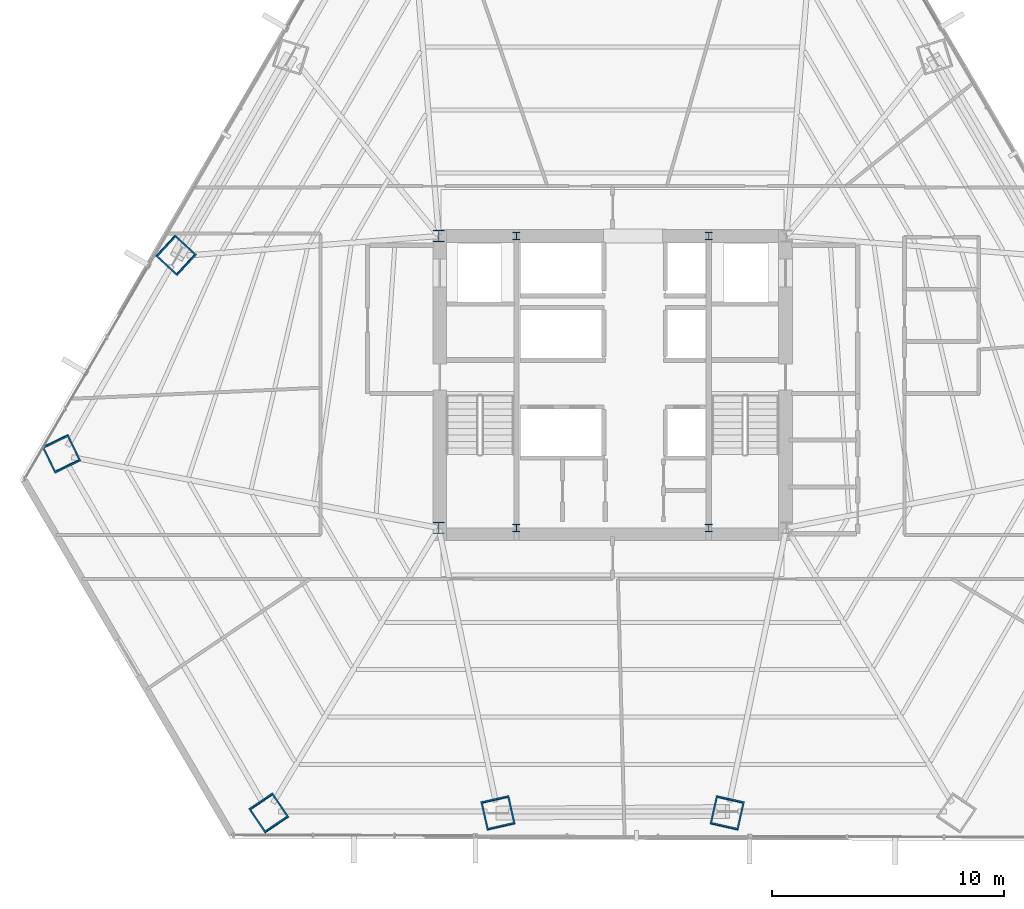
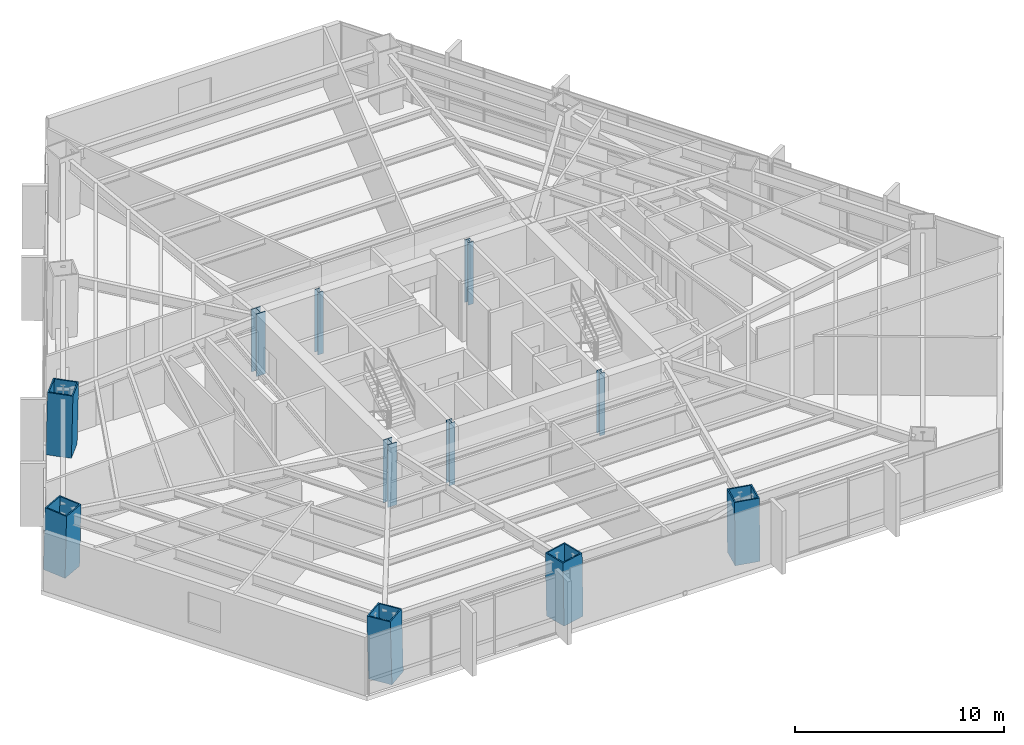
# One storey, part 1 of 33: 11 columns.
"""IFC4 building model written with IfcOpenShell, lengths in metres."""

from ifc_helpers import new_model, si_unit, direction, frame, origin, origin_2d, place, context, subcontext, project, spatial, hollow_rectangle, i_section, extrude, source, transform, mapped, material, material_profile, profile_set, type_object, type_shapes, element, save


model = new_model("IFC4")

# Units and contexts
model_context = context("Model", 3, precision=1e-05, world=origin(), true_north=direction((0.0, 1.0)))
body_context = subcontext(model_context, "Body", "Model", "MODEL_VIEW")
ifc_project = project(units=[si_unit("LENGTHUNIT", "METRE"), si_unit("AREAUNIT", "SQUARE_METRE"), si_unit("VOLUMEUNIT", "CUBIC_METRE"), si_unit("PLANEANGLEUNIT", "RADIAN"), si_unit("MASSUNIT", "GRAM", prefix="KILO")], contexts=[model_context])

# Site, building, storey
site_placement = place(None, origin())
site = spatial("IfcSite", under=ifc_project, at=site_placement, CompositionType="ELEMENT")
building_placement = place(site_placement, origin())
building = spatial("IfcBuilding", under=site, at=building_placement, Name="Caelisora Broadcast Tower", CompositionType="ELEMENT")
storey_placement = place(building_placement, frame((0.0, 0.0, 42.199951171875)))
storey = spatial("IfcBuildingStorey", under=building, at=storey_placement, Name="L10", CompositionType="ELEMENT", Elevation=42.199951171875)

# Columns
ifc_material_1 = material(Name="Steel Grade 350 L15 (AS/NZS 3678)", Category="steel")
ifc_material_profile_1 = material_profile(ifc_material_1, hollow_rectangle(XDim=1.25, YDim=1.25, WallThickness=0.070068359375, at=origin_2d()), Name="Steel Grade 350 L15 (AS/NZS 3678)")
ifc_profile_set_1 = profile_set([ifc_material_profile_1], Name="Steel Grade 350 L15 (AS/NZS 3678)")
column_type_1 = type_object("IfcColumnType", Name="MC02", PredefinedType="COLUMN", material=ifc_profile_set_1)
shared_shape_1 = source(origin(), body_context, "Body", "SweptSolid", [
    extrude(hollow_rectangle(XDim=1.25, YDim=1.25, WallThickness=0.070068359375, at=origin_2d()), origin(), (0.0, 0.0, 1.0), 3.65087890625),
])
for number, where, z_axis, x_axis, name in (
    (1, (19.1513671875, 29.174560546875, 0.0), (0.014912316331, -0.013775502979, 0.999793907933), (0.678553674548, 0.734550822447, 0.0), "L10 column MC02"),
    (2, (33.056884765625, 5.089111328125, 0.0), (-0.004480376697, 0.019860774315, 0.999792716451), (-0.975486508487, -0.220059246022, 0.0), "L10 column MC02"),
    (3, (42.943115234375, 5.089111328125, 0.0), (0.004480376697, 0.019860774315, 0.999792716451), (-0.975486508487, 0.220059246022, 0.0), "L10 column MC02"),
):
    element("IfcColumn", number, at=place(storey_placement, frame(where, z_axis=z_axis, x_axis=x_axis)), inside=storey, type_object=column_type_1, Name=name, PredefinedType="COLUMN", context=body_context, shape_type="MappedRepresentation", body=[
        mapped(shared_shape_1, transform((0.0, 0.0, 0.0), scale=1.0)),
    ])
ifc_material_2 = material(Name="Steel Grade 350 (AS/NZS 3679.2)", Category="steel")
ifc_material_profile_2 = material_profile(ifc_material_2, i_section(OverallWidth=0.5, OverallDepth=0.5, WebThickness=0.028076171875, FlangeThickness=0.0400390625, at=origin_2d()), Name="Steel Grade 350 (AS/NZS 3679.2)")
ifc_profile_set_2 = profile_set([ifc_material_profile_2], Name="Steel Grade 350 (AS/NZS 3679.2)")
column_type_2 = type_object("IfcColumnType", Name="CC01", PredefinedType="COLUMN", material=ifc_profile_set_2)
shared_shape_2 = source(origin(), body_context, "Body", "SweptSolid", [
    extrude(i_section(OverallWidth=0.5, OverallDepth=0.5, WebThickness=0.028076171875, FlangeThickness=0.0400390625, at=origin_2d()), origin(), (0.0, 0.0, 1.0), 3.650146484375),
])
type_shapes(column_type_2, [shared_shape_2])
for number, where, z_axis, x_axis, name in (
    (4, (30.5, 17.39990234375, 0.0), (0.0, 0.0, 1.0), (1.0, 0.0, 0.0), "L10 column CC01"),
    (5, (30.5, 30.0, 0.0), (0.0, 0.0, 1.0), (1.0, 0.0, 0.0), "L10 column CC01"),
):
    element("IfcColumn", number, at=place(storey_placement, frame(where, z_axis=z_axis, x_axis=x_axis)), inside=storey, type_object=column_type_2, Name=name, PredefinedType="COLUMN", context=body_context, shape_type="MappedRepresentation", body=[
        mapped(shared_shape_2, transform((0.0, 0.0, 0.0), scale=1.0)),
    ])
ifc_material_3 = material(Name="Steel Grade 350 (AS/NZS 3679.1)", Category="steel")
ifc_material_profile_3 = material_profile(ifc_material_3, i_section(OverallWidth=0.306884765625, OverallDepth=0.314697265625, WebThickness=0.011962890625, FlangeThickness=0.018798828125, at=origin_2d()), Name="Steel Grade 350 (AS/NZS 3679.1)")
ifc_profile_set_3 = profile_set([ifc_material_profile_3], Name="Steel Grade 350 (AS/NZS 3679.1)")
column_type_3 = type_object("IfcColumnType", Name="CC04", PredefinedType="COLUMN", material=ifc_profile_set_3)
shared_shape_3 = source(origin(), body_context, "Body", "SweptSolid", [
    extrude(i_section(OverallWidth=0.306884765625, OverallDepth=0.314697265625, WebThickness=0.011962890625, FlangeThickness=0.018798828125, at=origin_2d()), origin(), (0.0, 0.0, 1.0), 3.650146484375),
])
type_shapes(column_type_3, [shared_shape_3])
for number, where, z_axis, x_axis, name in (
    (6, (33.85009765625, 17.39990234375, 0.0), (0.0, 0.0, 1.0), (1.0, 0.0, 0.0), "L10 column CC04"),
    (7, (42.14990234375, 17.39990234375, 0.0), (0.0, 0.0, 1.0), (1.0, 0.0, 0.0), "L10 column CC04"),
    (8, (33.85009765625, 30.0, 0.0), (0.0, 0.0, 1.0), (1.0, 0.0, 0.0), "L10 column CC04"),
    (9, (42.14990234375, 30.0, 0.0), (0.0, 0.0, 1.0), (1.0, 0.0, 0.0), "L10 column CC04"),
):
    element("IfcColumn", number, at=place(storey_placement, frame(where, z_axis=z_axis, x_axis=x_axis)), inside=storey, type_object=column_type_3, Name=name, PredefinedType="COLUMN", context=body_context, shape_type="MappedRepresentation", body=[
        mapped(shared_shape_3, transform((0.0, 0.0, 0.0), scale=1.0)),
    ])
shared_shape_4 = source(origin(), body_context, "Body", "SweptSolid", [
    extrude(hollow_rectangle(XDim=1.25, YDim=1.25, WallThickness=0.070068359375, at=origin_2d()), origin(), (0.0, 0.0, 1.0), 3.651123046875),
])
type_shapes(column_type_1, [shared_shape_1, shared_shape_4])
for number, where, z_axis, x_axis, name in (
    (10, (14.208251953125, 20.613037109375, 0.0), (0.010431098089, -0.021530856313, 0.999713766245), (0.899947055326, 0.435999194506, 0.0), "L10 column MC02"),
    (11, (23.1708984375, 5.089111328125, 0.0), (-0.013440050965, 0.019859179784, 0.999712447661), (-0.828169210203, -0.560478152359, 0.0), "L10 column MC02"),
):
    element("IfcColumn", number, at=place(storey_placement, frame(where, z_axis=z_axis, x_axis=x_axis)), inside=storey, type_object=column_type_1, Name=name, PredefinedType="COLUMN", context=body_context, shape_type="MappedRepresentation", body=[
        mapped(shared_shape_4, transform((0.0, 0.0, 0.0), scale=1.0)),
    ])

save(model, "model.ifc")
